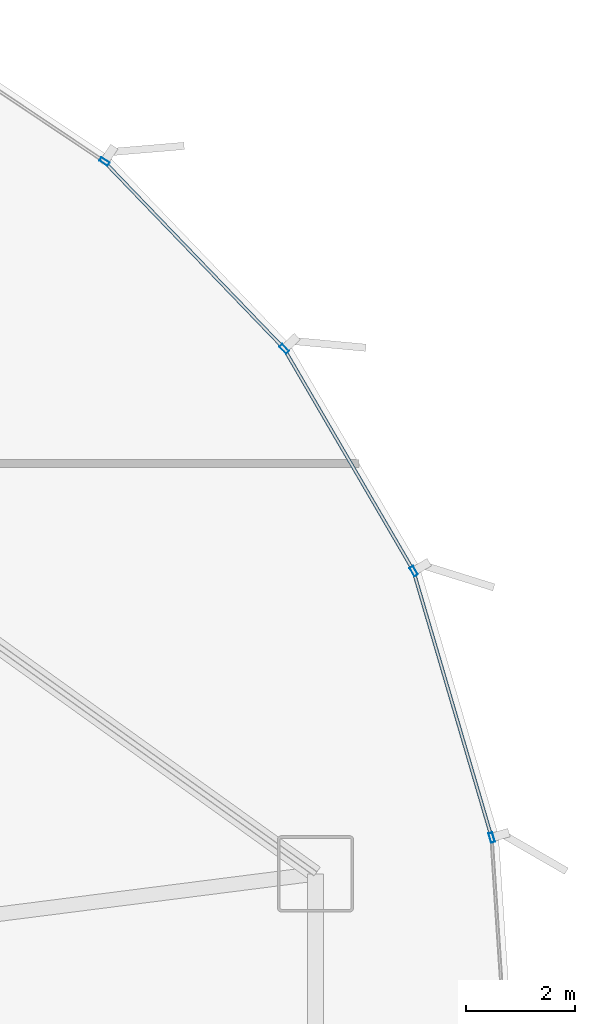
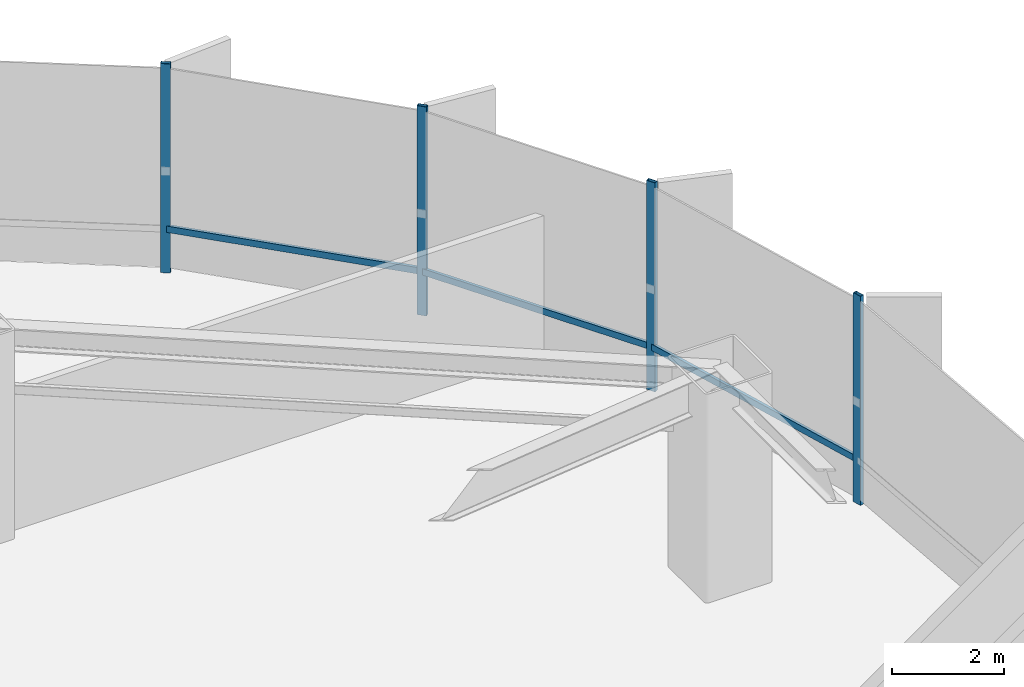
# One storey, part 21 of 34: 7 members, 1 element without a shape of its own.
"""IFC4 building model written with IfcOpenShell, lengths in metres."""

import ifcopenshell
import ifcopenshell.guid

model = None  # the IFC model being written
_history = None  # IfcOwnerHistory: only IFC2X3 demands one
_inside = {}  # id of a spatial element -> (the spatial element, [elements in it])
_under = {}  # id of a project, library or spatial element -> (it, [spatial elements below it])
_declared = {}  # id of a project -> (the project, [libraries it declares])
_typed = {}  # id of a type object -> (the type object, [elements of that type])
_made_of = {}  # id of a material, layer set ... -> (it, [elements and type objects made of it])


def new_model(schema):
    """Start an empty IFC model of exactly this schema.

    Asked for "IFC4X3", IfcOpenShell would pick the latest addendum, in which some entities
    have other attributes; the version numbers below select the first issue.
    IFC2X3 requires an IfcOwnerHistory on every rooted entity: one is made here for all.
    """
    global model, _history
    if schema == "IFC4X3":
        model = ifcopenshell.file(schema_version=(4, 3, 0, 0))
    else:
        model = ifcopenshell.file(schema=schema)
    _inside.clear()
    _under.clear()
    _declared.clear()
    _typed.clear()
    _made_of.clear()
    _history = None
    if model.schema == "IFC2X3":
        org = make("IfcOrganization", Name="unknown")
        user = make(
            "IfcPersonAndOrganization",
            ThePerson=make("IfcPerson", FamilyName="unknown"),
            TheOrganization=org,
        )
        app = make(
            "IfcApplication",
            ApplicationDeveloper=org,
            Version="unknown",
            ApplicationFullName="unknown",
            ApplicationIdentifier="unknown",
        )
        _history = make(
            "IfcOwnerHistory",
            OwningUser=user,
            OwningApplication=app,
            ChangeAction="ADDED",
            CreationDate=0,
        )
    return model


def make(cls, **values):
    """One entity of the class cls with the attributes given. An attribute that is None is left unset."""
    return model.create_entity(
        cls, **{name: value for name, value in values.items() if value is not None}
    )


def rooted(cls, **values):
    """An entity with a GlobalId (a new one), such as an element, a storey or a relation."""
    return make(cls, GlobalId=ifcopenshell.guid.new(), OwnerHistory=_history, **values)


def si_unit(unit_type, name, prefix=None):
    """IfcSIUnit, for example si_unit("LENGTHUNIT", "METRE", prefix="MILLI")."""
    return make("IfcSIUnit", UnitType=unit_type, Prefix=prefix, Name=name)


def assignment(units):
    """IfcUnitAssignment: the units of a project."""
    return None if units is None else make("IfcUnitAssignment", Units=units)


def point(xyz):
    """IfcCartesianPoint."""
    return None if xyz is None else make("IfcCartesianPoint", Coordinates=xyz)


def direction(xyz):
    """IfcDirection."""
    return None if xyz is None else make("IfcDirection", DirectionRatios=xyz)


def frame(location, z_axis=None, x_axis=None):
    """IfcAxis2Placement3D, a coordinate frame: its origin and axes. An axis left out is left unset."""
    return make(
        "IfcAxis2Placement3D",
        Location=point(location),
        Axis=direction(z_axis),
        RefDirection=direction(x_axis),
    )


def frame_2d(location, x_axis=None):
    """IfcAxis2Placement2D, a coordinate frame in the plane: its origin and x axis."""
    return make(
        "IfcAxis2Placement2D", Location=point(location), RefDirection=direction(x_axis)
    )


def origin():
    """The frame at (0, 0, 0) with its axes left unset."""
    return frame((0.0, 0.0, 0.0))


def origin_2d():
    """The frame at (0, 0) in the plane with its x axis left unset."""
    return frame_2d((0.0, 0.0))


def place(relative_to, where):
    """IfcLocalPlacement: puts the frame where relative to a parent placement (None: the world)."""
    return make(
        "IfcLocalPlacement", PlacementRelTo=relative_to, RelativePlacement=where
    )


def context(
    kind, dimensions, precision=None, world=None, true_north=None, identifier=None
):
    """IfcGeometricRepresentationContext, for example the 3D "Model" context."""
    return make(
        "IfcGeometricRepresentationContext",
        ContextIdentifier=identifier,
        ContextType=kind,
        CoordinateSpaceDimension=dimensions,
        Precision=precision,
        WorldCoordinateSystem=world,
        TrueNorth=true_north,
    )


def subcontext(parent, identifier, kind, view, scale=None):
    """IfcGeometricRepresentationSubContext, for example "Body" below "Model"."""
    return make(
        "IfcGeometricRepresentationSubContext",
        ContextIdentifier=identifier,
        ContextType=kind,
        ParentContext=parent,
        TargetScale=scale,
        TargetView=view,
    )


def project(units=None, contexts=None):
    """IfcProject with its units and contexts."""
    return rooted(
        "IfcProject",
        Name="project",
        RepresentationContexts=contexts,
        UnitsInContext=assignment(units),
    )


def spatial(cls, under=None, at=None, **own):
    """A site, building, storey or space (cls), placed at a placement, below another one or the project."""
    s = rooted(cls, ObjectPlacement=at, **own)
    if under is not None:
        _under.setdefault(under.id(), (under, []))[1].append(s)
    return s


def profile(cls, at=None, kind="AREA", **sizes):
    """A parametric profile (cls). Its sizes go by their IFC names, for example OverallWidth=200.0."""
    return make(cls, ProfileType=kind, Position=at, **sizes)


def hollow_rectangle(**sizes):
    """IfcRectangleHollowProfileDef."""
    return profile("IfcRectangleHollowProfileDef", **sizes)


def extrude(swept, where, along, depth):
    """IfcExtrudedAreaSolid: the profile swept, set in the frame where, extruded along a direction by depth."""
    return make(
        "IfcExtrudedAreaSolid",
        SweptArea=swept,
        Position=where,
        ExtrudedDirection=direction(along),
        Depth=depth,
    )


def shape(context_of_items, identifier, shape_type, items):
    """IfcShapeRepresentation: the items that make up one representation, for example the "Body"."""
    return make(
        "IfcShapeRepresentation",
        ContextOfItems=context_of_items,
        RepresentationIdentifier=identifier,
        RepresentationType=shape_type,
        Items=items,
    )


def source(mapping_origin, context_of_items, identifier, shape_type, items):
    """IfcRepresentationMap: a shape defined once, which mapped items show again and again."""
    return make(
        "IfcRepresentationMap",
        MappingOrigin=mapping_origin,
        MappedRepresentation=shape(context_of_items, identifier, shape_type, items),
    )


def transform(
    local_origin,
    x_axis=None,
    y_axis=None,
    z_axis=None,
    scale=None,
    scale2=None,
    scale3=None,
    uniform=True,
):
    """IfcCartesianTransformationOperator3D, or its non-uniform kind. x_axis, y_axis, z_axis: its Axis1, 2, 3."""
    if uniform:
        return make(
            "IfcCartesianTransformationOperator3D",
            Axis1=direction(x_axis),
            Axis2=direction(y_axis),
            LocalOrigin=point(local_origin),
            Scale=scale,
            Axis3=direction(z_axis),
        )
    return make(
        "IfcCartesianTransformationOperator3DnonUniform",
        Axis1=direction(x_axis),
        Axis2=direction(y_axis),
        LocalOrigin=point(local_origin),
        Scale=scale,
        Axis3=direction(z_axis),
        Scale2=scale2,
        Scale3=scale3,
    )


def mapped(mapping_source, mapping_target):
    """IfcMappedItem: shows the shape of a source again, moved by a transform."""
    return make(
        "IfcMappedItem", MappingSource=mapping_source, MappingTarget=mapping_target
    )


def material(Name=None, Category=None):
    """IfcMaterial."""
    return make("IfcMaterial", Name=Name, Category=Category)


def layer(
    of_material, thickness, ventilated=None, Name=None, Category=None, Priority=None
):
    """IfcMaterialLayer: one layer of a wall or slab, of a material (None: an air gap)."""
    return make(
        "IfcMaterialLayer",
        Material=of_material,
        LayerThickness=thickness,
        IsVentilated=ventilated,
        Name=Name,
        Category=Category,
        Priority=Priority,
    )


def layer_set(layers, Name=None):
    """IfcMaterialLayerSet."""
    return make("IfcMaterialLayerSet", MaterialLayers=layers, LayerSetName=Name)


def material_profile(
    of_material, cross_section, Name=None, Category=None, Priority=None
):
    """IfcMaterialProfile: a cross section and its material."""
    return make(
        "IfcMaterialProfile",
        Name=Name,
        Material=of_material,
        Profile=cross_section,
        Priority=Priority,
        Category=Category,
    )


def profile_set(profiles, Name=None, composite=None):
    """IfcMaterialProfileSet."""
    return make(
        "IfcMaterialProfileSet",
        Name=Name,
        MaterialProfiles=profiles,
        CompositeProfile=composite,
    )


def made_of(thing, what):
    """Note that an element or type object is made of a material, layer set ...; save() writes the relation."""
    if what is not None:
        _made_of.setdefault(what.id(), (what, []))[1].append(thing)
    return thing


def type_object(cls, material=None, **own):
    """A type object (cls), such as IfcWallType, which elements share."""
    return made_of(rooted(cls, **own), material)


def element(
    cls,
    number,
    at=None,
    inside=None,
    cuts=None,
    type_object=None,
    material=None,
    context=None,
    identifier="Body",
    shape_type=None,
    held_by="IfcProductDefinitionShape",
    body=None,
    shapes=None,
    **own,
):
    """One element of the class cls, such as IfcWall. Its Tag is "e" and its number.

    at: its placement. inside: the storey or other place that contains it. cuts: it is an
    opening in that element (IfcRelVoidsElement). A single representation is given by context,
    identifier, shape_type and body (its items); several are given by shapes. held_by: the class
    of the entity that holds the representations. save() writes the other relations.
    """
    e = rooted(cls, Tag="e%d" % number, ObjectPlacement=at, **own)
    if body is not None:
        shapes = [shape(context, identifier, shape_type, body)]
    if shapes is not None:
        e.Representation = make(held_by, Representations=shapes)
    if inside is not None:
        _inside.setdefault(inside.id(), (inside, []))[1].append(e)
    if cuts is not None:
        rooted(
            "IfcRelVoidsElement", RelatingBuildingElement=cuts, RelatedOpeningElement=e
        )
    if type_object is not None:
        _typed.setdefault(type_object.id(), (type_object, []))[1].append(e)
    return made_of(e, material)


def aggregate(whole, parts):
    """IfcRelAggregates: a whole, such as a stair, and the parts it consists of."""
    return rooted("IfcRelAggregates", RelatingObject=whole, RelatedObjects=parts)


def save(model, path):
    """Write the relations noted so far, then the file.

    IfcRelAggregates (storeys below a building ...), IfcRelContainedInSpatialStructure (elements
    in a storey), IfcRelDefinesByType, IfcRelAssociatesMaterial and IfcRelDeclares: one each for
    every whole, place, type object, material and project.
    """
    for whole, parts in _under.values():
        aggregate(whole, parts)
    for where, things in _inside.values():
        rooted(
            "IfcRelContainedInSpatialStructure",
            RelatedElements=things,
            RelatingStructure=where,
        )
    for kind, things in _typed.values():
        rooted("IfcRelDefinesByType", RelatedObjects=things, RelatingType=kind)
    for what, things in _made_of.values():
        rooted("IfcRelAssociatesMaterial", RelatedObjects=things, RelatingMaterial=what)
    for by, libraries in _declared.values():
        rooted("IfcRelDeclares", RelatingContext=by, RelatedDefinitions=libraries)
    model.write(path)


model = new_model("IFC4")

# Units and contexts
model_context = context("Model", 3, precision=1e-05, world=origin(), true_north=direction((0.0, 1.0)))
body_context = subcontext(model_context, "Body", "Model", "MODEL_VIEW")
ifc_project = project(units=[si_unit("LENGTHUNIT", "METRE"), si_unit("AREAUNIT", "SQUARE_METRE"), si_unit("VOLUMEUNIT", "CUBIC_METRE"), si_unit("PLANEANGLEUNIT", "RADIAN"), si_unit("MASSUNIT", "GRAM", prefix="KILO"), si_unit("THERMODYNAMICTEMPERATUREUNIT", "KELVIN")], contexts=[model_context])

# Site, building, storey
site_placement = place(None, origin())
site = spatial("IfcSite", under=ifc_project, at=site_placement, CompositionType="ELEMENT")
building_placement = place(site_placement, origin())
building = spatial("IfcBuilding", under=site, at=building_placement, Name="Kethvar Cultural Tower", CompositionType="ELEMENT")
storey_placement = place(building_placement, frame((0.0, 0.0, 5.199951171875)))
storey = spatial("IfcBuildingStorey", under=building, at=storey_placement, Name="L01", CompositionType="ELEMENT", Elevation=5.199951171875)

# Curtain wall, members
ifc_material = material(Name="Aluminium 6063-T6", Category="aluminium")
ifc_layer = layer(ifc_material, 0.179931640625, Name="Aluminium 6063-T6", Category="aluminium")
ifc_layer_set = layer_set([ifc_layer], Name="Aluminium 6063-T6 (180 mm)")
curtain_wall_type = type_object("IfcCurtainWallType", Name="CW-SYS-01-POD", PredefinedType="NOTDEFINED", material=ifc_layer_set)
curtain_wall_placement = place(storey_placement, origin())
curtain_wall = element("IfcCurtainWall", 1, at=curtain_wall_placement, inside=storey, type_object=curtain_wall_type, Name="L01 Curtain Wall Run 01", PredefinedType="NOTDEFINED")
ifc_material_profile_1 = material_profile(ifc_material, hollow_rectangle(XDim=0.06005859375, YDim=0.139892578125, WallThickness=0.0048828125, at=origin_2d()), Name="Aluminium 6063-T6 — RHS140x60x5")
ifc_profile_set_1 = profile_set([ifc_material_profile_1], Name="Aluminium 6063-T6 — RHS140x60x5")
member_type_1 = type_object("IfcMemberType", Name="CW-SYS-01-POD-TRN", PredefinedType="USERDEFINED", material=ifc_profile_set_1)
shared_shape_1 = source(origin(), body_context, "Body", "SweptSolid", [
    extrude(hollow_rectangle(XDim=0.06005859375, YDim=0.139892578125, WallThickness=0.0048828125, at=origin_2d()), origin(), (0.0, 0.0, 1.0), 5.012451171875),
])
member_1_placement = place(storey_placement, frame((82.577880859375, 34.993896484375, 0.949951171875), z_axis=(-0.281770748473, 0.959481758714, 0.0), x_axis=(-0.959481758714, -0.281770748473, 0.0)))
member_1 = element("IfcMember", 2, at=member_1_placement, type_object=member_type_1, Name="CW-L01-R01 Transom 2", ObjectType="TRANSOM", PredefinedType="USERDEFINED", context=body_context, shape_type="MappedRepresentation", body=[
    mapped(shared_shape_1, transform((0.0, 0.0, 0.0), scale=1.0)),
])
shared_shape_2 = source(origin(), body_context, "Body", "SweptSolid", [
    extrude(hollow_rectangle(XDim=0.06005859375, YDim=0.139892578125, WallThickness=0.0048828125, at=origin_2d()), origin(), (0.0, 0.0, 1.0), 4.639892578125),
])
member_2_placement = place(storey_placement, frame((81.135498046875, 39.872802734375, 0.949951171875), z_axis=(-0.503504560489, 0.863992568004, 0.0), x_axis=(-0.863992568004, -0.503504560489, 0.0)))
member_2 = element("IfcMember", 3, at=member_2_placement, type_object=member_type_1, Name="CW-L01-R01 Transom 3", ObjectType="TRANSOM", PredefinedType="USERDEFINED", context=body_context, shape_type="MappedRepresentation", body=[
    mapped(shared_shape_2, transform((0.0, 0.0, 0.0), scale=1.0)),
])
shared_shape_3 = source(origin(), body_context, "Body", "SweptSolid", [
    extrude(hollow_rectangle(XDim=0.06005859375, YDim=0.139892578125, WallThickness=0.0048828125, at=origin_2d()), origin(), (0.0, 0.0, 1.0), 4.6826171875),
])
member_3_placement = place(storey_placement, frame((78.75341796875, 43.942626953125, 0.949951171875), z_axis=(-0.693341040309, 0.72060960431, 0.0), x_axis=(-0.72060960431, -0.693341040309, 0.0)))
member_3 = element("IfcMember", 4, at=member_3_placement, type_object=member_type_1, Name="CW-L01-R01 Transom 4", ObjectType="TRANSOM", PredefinedType="USERDEFINED", context=body_context, shape_type="MappedRepresentation", body=[
    mapped(shared_shape_3, transform((0.0, 0.0, 0.0), scale=1.0)),
])
ifc_material_profile_2 = material_profile(ifc_material, hollow_rectangle(XDim=0.074951171875, YDim=0.179931640625, WallThickness=0.006103515625, at=origin_2d()), Name="Aluminium 6063-T6 — RHS180x75x6")
ifc_profile_set_2 = profile_set([ifc_material_profile_2], Name="Aluminium 6063-T6 — RHS180x75x6")
member_type_2 = type_object("IfcMemberType", Name="CW-SYS-01-POD-MUL", PredefinedType="MULLION", material=ifc_profile_set_2)
shared_shape_4 = source(origin(), body_context, "Body", "SweptSolid", [
    extrude(hollow_rectangle(XDim=0.074951171875, YDim=0.179931640625, WallThickness=0.006103515625, at=origin_2d()), origin(), (0.0, 0.0, 1.0), 4.550048828125),
])
member_4_placement = place(storey_placement, frame((82.593017578125, 34.94189453125, 0.0), z_axis=(0.0, 0.0, 1.0), x_axis=(-0.959496102658, -0.28172190008, 0.0)))
member_4 = element("IfcMember", 5, at=member_4_placement, type_object=member_type_2, Name="CW-L01-R01 Mullion 2", PredefinedType="MULLION", context=body_context, shape_type="MappedRepresentation", body=[
    mapped(shared_shape_4, transform((0.0, 0.0, 0.0), scale=1.0)),
])
member_5_placement = place(storey_placement, frame((81.162841796875, 39.826171875, 0.0), z_axis=(0.0, 0.0, 1.0), x_axis=(-0.863984939927, -0.503517649721, 0.0)))
member_5 = element("IfcMember", 6, at=member_5_placement, type_object=member_type_2, Name="CW-L01-R01 Mullion 3", PredefinedType="MULLION", context=body_context, shape_type="MappedRepresentation", body=[
    mapped(shared_shape_4, transform((0.0, 0.0, 0.0), scale=1.0)),
])
member_6_placement = place(storey_placement, frame((78.790771484375, 43.90380859375, 0.0), z_axis=(0.0, 0.0, 1.0), x_axis=(-0.720611619661, -0.693338945689, 0.0)))
member_6 = element("IfcMember", 7, at=member_6_placement, type_object=member_type_2, Name="CW-L01-R01 Mullion 4", PredefinedType="MULLION", context=body_context, shape_type="MappedRepresentation", body=[
    mapped(shared_shape_4, transform((0.0, 0.0, 0.0), scale=1.0)),
])
member_7_placement = place(storey_placement, frame((75.49072265625, 47.337890625, 0.0), z_axis=(0.0, 0.0, 1.0), x_axis=(-0.556556649514, -0.830809662848, 0.0)))
member_7 = element("IfcMember", 8, at=member_7_placement, type_object=member_type_2, Name="CW-L01-R01 Mullion 5", PredefinedType="MULLION", context=body_context, shape_type="MappedRepresentation", body=[
    mapped(shared_shape_4, transform((0.0, 0.0, 0.0), scale=1.0)),
])
aggregate(curtain_wall, [member_4, member_5, member_6, member_7, member_1, member_2, member_3])

save(model, "model.ifc")
